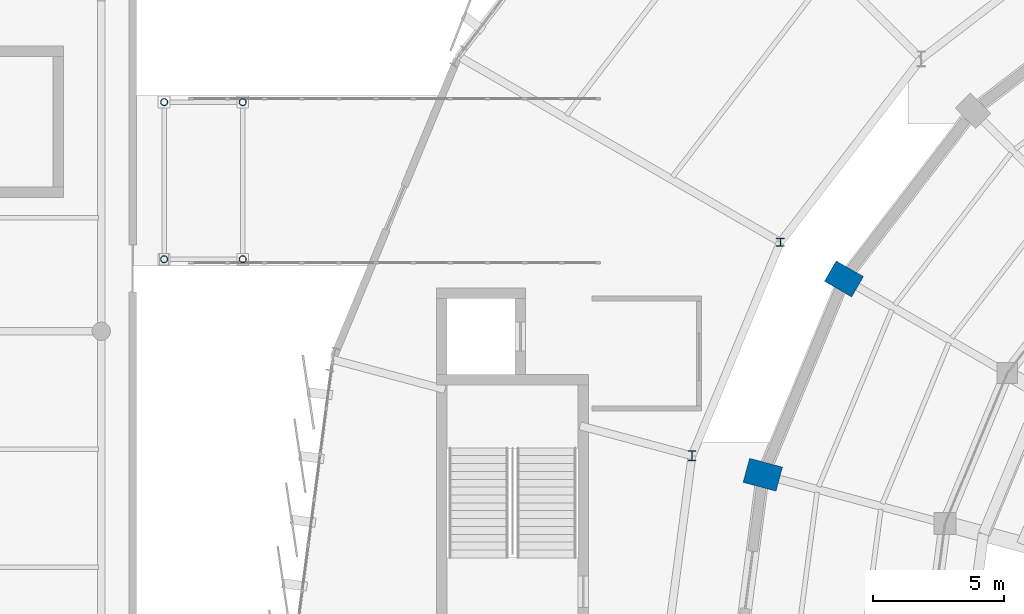
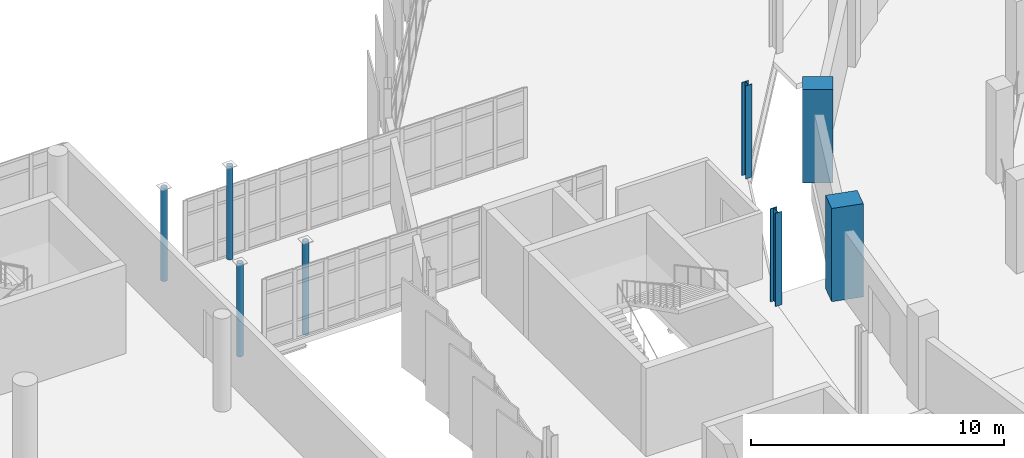
# One storey, part 12 of 134: 8 columns.
"""IFC4 building model written with IfcOpenShell, lengths in metres."""

from ifc_helpers import new_model, si_unit, direction, frame, origin, origin_2d, place, context, subcontext, project, spatial, rectangle, hollow_circle, i_section, extrude, material, material_profile, profile_set, type_object, element, save


model = new_model("IFC4")

# Units and contexts
model_context = context("Model", 3, precision=1e-05, world=origin(), true_north=direction((0.0, 1.0)))
body_context = subcontext(model_context, "Body", "Model", "MODEL_VIEW")
ifc_project = project(units=[si_unit("LENGTHUNIT", "METRE"), si_unit("AREAUNIT", "SQUARE_METRE"), si_unit("VOLUMEUNIT", "CUBIC_METRE"), si_unit("PLANEANGLEUNIT", "RADIAN"), si_unit("MASSUNIT", "GRAM", prefix="KILO")], contexts=[model_context])

# Site, building, storey
site_placement = place(None, origin())
site = spatial("IfcSite", under=ifc_project, at=site_placement, CompositionType="ELEMENT")
building_placement = place(site_placement, origin())
building = spatial("IfcBuilding", under=site, at=building_placement, Name="Sohan Crest Arena", CompositionType="ELEMENT")
storey_placement = place(building_placement, frame((0.0, 0.0, 4.5)))
storey = spatial("IfcBuildingStorey", under=building, at=storey_placement, Name="L01", CompositionType="ELEMENT", Elevation=4.5)

# Columns
ifc_material_1 = material(Name="Concrete C40/50", Category="concrete")
ifc_material_profile_1 = material_profile(ifc_material_1, rectangle(XDim=1.199951171875, YDim=0.89990234375, at=origin_2d()), Name="RC 1200x900")
ifc_profile_set_1 = profile_set([ifc_material_profile_1], Name="Concrete C40/50")
column_type_1 = type_object("IfcColumnType", Name="STR-COL-C11", PredefinedType="COLUMN", material=ifc_profile_set_1)
column_1_placement = place(storey_placement, frame((71.153076171875, 93.5, 0.0), z_axis=(0.0, 0.0, 1.0), x_axis=(-0.866025403784, 0.5, 0.0)))
element("IfcColumn", 1, at=column_1_placement, inside=storey, type_object=column_type_1, Name="Structural column COL-V1R-05-L01", PredefinedType="COLUMN", context=body_context, shape_type="SweptSolid", body=[
    extrude(rectangle(XDim=1.199951171875, YDim=0.89990234375, at=origin_2d()), origin(), (0.0, 0.0, 1.0), 4.5),
])
ifc_material_profile_2 = material_profile(ifc_material_1, rectangle(XDim=1.300048828125, YDim=0.949951171875, at=origin_2d()), Name="RC 1300x950")
ifc_profile_set_2 = profile_set([ifc_material_profile_2], Name="Concrete C40/50")
column_type_2 = type_object("IfcColumnType", Name="STR-COL-C12", PredefinedType="COLUMN", material=ifc_profile_set_2)
column_2_placement = place(storey_placement, frame((68.055908203125, 86.02294921875, 0.0), z_axis=(0.0, 0.0, 1.0), x_axis=(-0.965925826289, 0.258819045103, 0.0)))
element("IfcColumn", 2, at=column_2_placement, inside=storey, type_object=column_type_2, Name="Structural column COL-V1R-06-L01", PredefinedType="COLUMN", context=body_context, shape_type="SweptSolid", body=[
    extrude(rectangle(XDim=1.300048828125, YDim=0.949951171875, at=origin_2d()), origin(), (0.0, 0.0, 1.0), 4.5),
])
ifc_material_2 = material(Name="Steel S355", Category="steel")
ifc_material_profile_3 = material_profile(ifc_material_2, i_section(OverallWidth=0.300048828125, OverallDepth=0.300048828125, WebThickness=0.010986328125, FlangeThickness=0.01904296875, at=origin_2d()), Name="HEB 300")
ifc_profile_set_3 = profile_set([ifc_material_profile_3], Name="Steel S355")
column_type_3 = type_object("IfcColumnType", Name="STR-COL-C17", PredefinedType="COLUMN", material=ifc_profile_set_3)
column_3_placement = place(storey_placement, frame((68.72802734375, 94.89990234375, 0.0), z_axis=(0.0, 0.0, 1.0), x_axis=(1.0, 0.0, 0.0)))
element("IfcColumn", 3, at=column_3_placement, inside=storey, type_object=column_type_3, Name="Structural column COL-V2I-05-L01", PredefinedType="COLUMN", context=body_context, shape_type="SweptSolid", body=[
    extrude(i_section(OverallWidth=0.300048828125, OverallDepth=0.300048828125, WebThickness=0.010986328125, FlangeThickness=0.01904296875, at=origin_2d()), origin(), (0.0, 0.0, 1.0), 4.5),
])
ifc_material_profile_4 = material_profile(ifc_material_2, i_section(OverallWidth=0.300048828125, OverallDepth=0.39990234375, WebThickness=0.013427734375, FlangeThickness=0.02392578125, at=origin_2d()), Name="HEB 400")
ifc_profile_set_4 = profile_set([ifc_material_profile_4], Name="Steel S355")
column_type_4 = type_object("IfcColumnType", Name="STR-COL-C18", PredefinedType="COLUMN", material=ifc_profile_set_4)
column_4_placement = place(storey_placement, frame((65.35205078125, 86.748046875, 0.0), z_axis=(0.0, 0.0, 1.0), x_axis=(1.0, 0.0, 0.0)))
element("IfcColumn", 4, at=column_4_placement, inside=storey, type_object=column_type_4, Name="Structural column COL-V2I-06-L01", PredefinedType="COLUMN", context=body_context, shape_type="SweptSolid", body=[
    extrude(i_section(OverallWidth=0.300048828125, OverallDepth=0.39990234375, WebThickness=0.013427734375, FlangeThickness=0.02392578125, at=origin_2d()), origin(), (0.0, 0.0, 1.0), 4.5),
])
ifc_material_profile_5 = material_profile(ifc_material_2, hollow_circle(Radius=0.136474609375, WallThickness=0.012451171875, at=origin_2d()), Name="CHS 273x12.5")
ifc_profile_set_5 = profile_set([ifc_material_profile_5], Name="Steel S355")
column_type_5 = type_object("IfcColumnType", Name="STR-COL-C25", PredefinedType="COLUMN", material=ifc_profile_set_5)
for number, where, z_axis, x_axis, name in (
    (5, (45.199951171875, 94.25, 0.0), (0.0, 0.0, 1.0), (1.0, 0.0, 0.0), "Structural column COL-BC-BR-W2-1-L01"),
    (6, (48.199951171875, 94.25, 0.0), (0.0, 0.0, 1.0), (1.0, 0.0, 0.0), "Structural column COL-BC-BR-W2-2-L01"),
    (7, (45.199951171875, 100.25, 0.0), (0.0, 0.0, 1.0), (1.0, 0.0, 0.0), "Structural column COL-BC-BR-W2-3-L01"),
    (8, (48.199951171875, 100.25, 0.0), (0.0, 0.0, 1.0), (1.0, 0.0, 0.0), "Structural column COL-BC-BR-W2-4-L01"),
):
    element("IfcColumn", number, at=place(storey_placement, frame(where, z_axis=z_axis, x_axis=x_axis)), inside=storey, type_object=column_type_5, Name=name, PredefinedType="COLUMN", context=body_context, shape_type="SweptSolid", body=[
        extrude(hollow_circle(Radius=0.136474609375, WallThickness=0.012451171875, at=origin_2d()), origin(), (0.0, 0.0, 1.0), 4.5),
    ])

save(model, "model.ifc")
